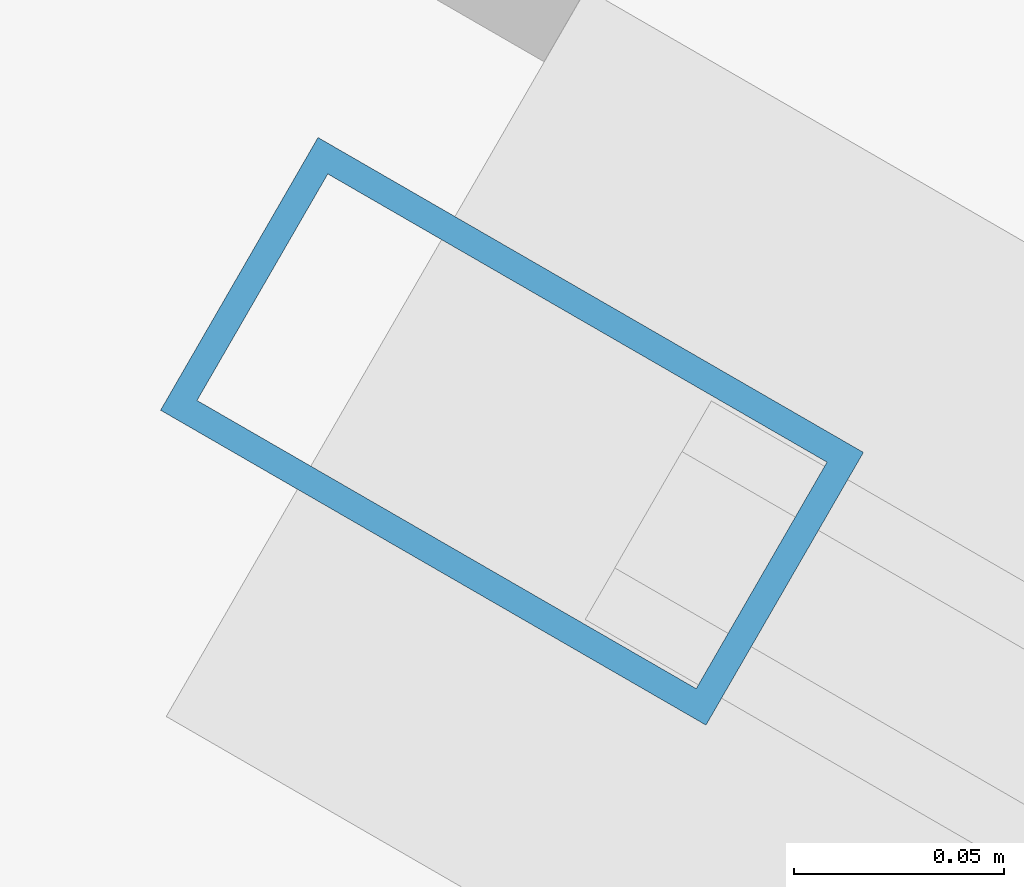
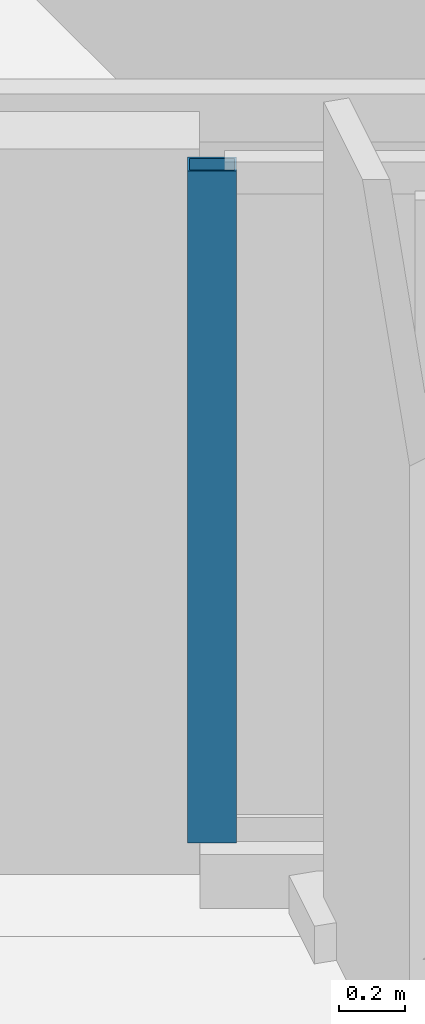
# One storey, part 4 of 18: 1 member, 1 element without a shape of its own.
"""IFC4 building model written with IfcOpenShell, lengths in metres."""

from ifc_helpers import new_model, si_unit, direction, frame, origin, origin_2d, place, context, subcontext, project, spatial, hollow_rectangle, extrude, material, layer, layer_set, material_profile, profile_set, type_object, element, aggregate, save


model = new_model("IFC4")

# Units and contexts
model_context = context("Model", 3, precision=1e-05, world=origin(), true_north=direction((0.0, 1.0)))
body_context = subcontext(model_context, "Body", "Model", "MODEL_VIEW")
ifc_project = project(units=[si_unit("LENGTHUNIT", "METRE"), si_unit("AREAUNIT", "SQUARE_METRE"), si_unit("VOLUMEUNIT", "CUBIC_METRE"), si_unit("PLANEANGLEUNIT", "RADIAN"), si_unit("MASSUNIT", "GRAM", prefix="KILO")], contexts=[model_context])

# Site, building, storey
site_placement = place(None, origin())
site = spatial("IfcSite", under=ifc_project, at=site_placement, CompositionType="ELEMENT")
building_placement = place(site_placement, origin())
building = spatial("IfcBuilding", under=site, at=building_placement, Name="Mersakhor Tower and Convention Hall", CompositionType="ELEMENT")
storey_placement = place(building_placement, frame((0.0, 0.0, 236.39990234375)))
storey = spatial("IfcBuildingStorey", under=building, at=storey_placement, Name="L66", CompositionType="ELEMENT", Elevation=236.39990234375)

# Curtain wall, member
ifc_material_1 = material(Name="Dark solar low-E aluminium curtain wall", Category="aluminium")
ifc_layer = layer(ifc_material_1, 0.179931640625)
ifc_layer_set = layer_set([ifc_layer], Name="Dark solar low-E aluminium curtain wall")
curtain_wall_type = type_object("IfcCurtainWallType", Name="CW-SYS-03", PredefinedType="USERDEFINED", material=ifc_layer_set)
curtain_wall_placement = place(storey_placement, origin())
curtain_wall = element("IfcCurtainWall", 1, at=curtain_wall_placement, inside=storey, type_object=curtain_wall_type, Name="L66 Dark-Glass Curtain Wall F3-B2", ObjectType="CURTAIN WALL", PredefinedType="USERDEFINED")
ifc_material_2 = material(Name="Anodised aluminium EN AW-6063 T6", Category="aluminium")
ifc_material_profile = material_profile(ifc_material_2, hollow_rectangle(XDim=0.074951171875, YDim=0.14990234375, WallThickness=0.00634765625, at=origin_2d()), Name="RHS 150x75x6.3")
ifc_profile_set = profile_set([ifc_material_profile], Name="Anodised aluminium EN AW-6063 T6")
member_type = type_object("IfcMemberType", Name="CWM-150x75", PredefinedType="MULLION", material=ifc_profile_set)
member_placement = place(storey_placement, frame((20.098388671875, 19.484619140625, 0.2001953125), z_axis=(0.0, 0.0, 1.0), x_axis=(-0.500004411169, -0.86602285698, 0.0)))
member = element("IfcMember", 2, at=member_placement, type_object=member_type, Name="CW-03 mullion 3", PredefinedType="MULLION", context=body_context, shape_type="SweptSolid", body=[
    extrude(hollow_rectangle(XDim=0.074951171875, YDim=0.14990234375, WallThickness=0.00634765625, at=origin_2d()), origin(), (0.0, 0.0, 1.0), 2.5),
])
aggregate(curtain_wall, [member])

save(model, "model.ifc")
